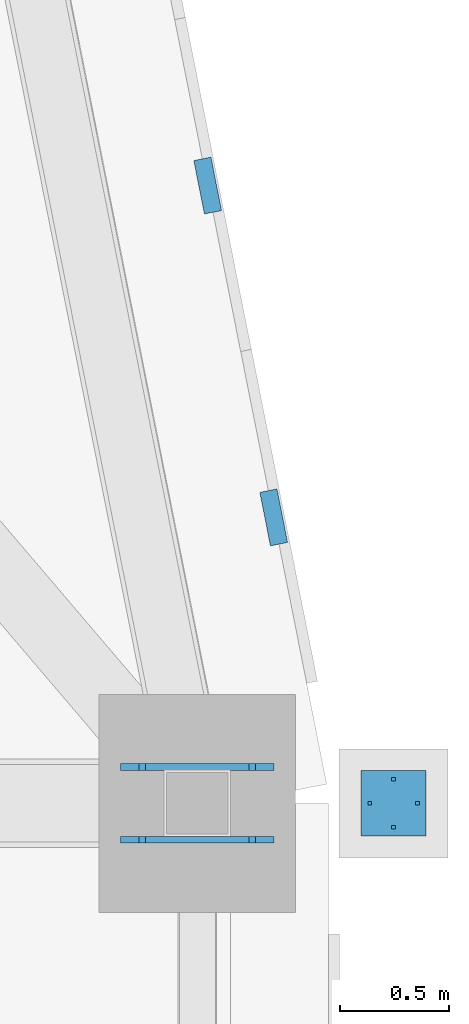
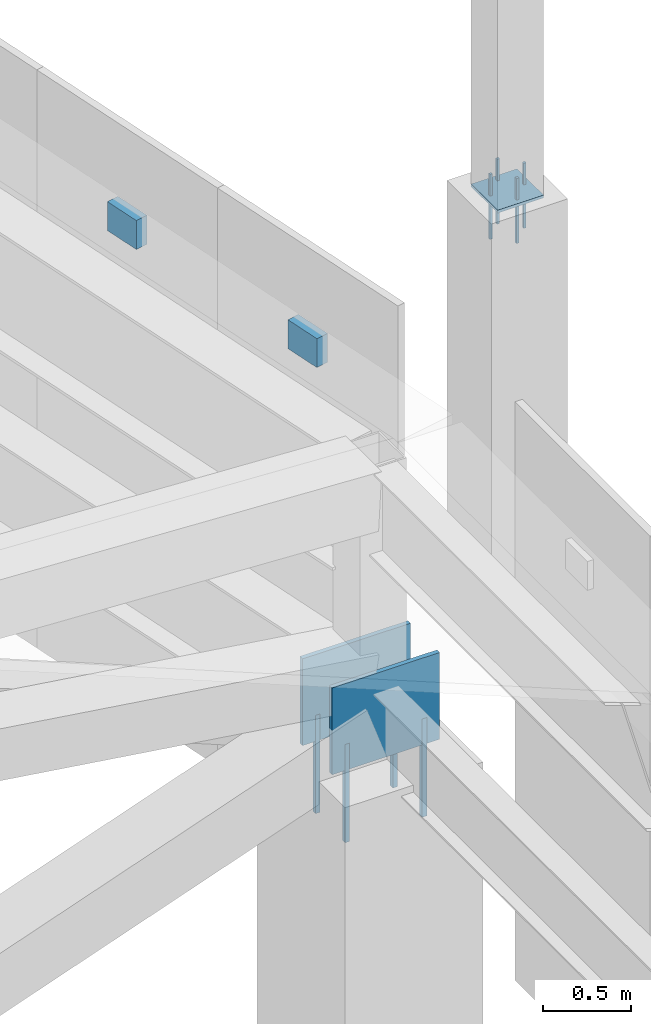
# One storey, part 256 of 278: 8 mechanical fasteners, 5 discrete accessories.
"""IFC4 building model written with IfcOpenShell, lengths in metres."""

from ifc_helpers import new_model, si_unit, direction, frame, origin, origin_2d, place, context, subcontext, project, spatial, rectangle, extrude, material, layer, layer_set, type_object, element, save


model = new_model("IFC4")

# Units and contexts
model_context = context("Model", 3, precision=1e-05, world=origin(), true_north=direction((0.0, 1.0)))
body_context = subcontext(model_context, "Body", "Model", "MODEL_VIEW")
ifc_project = project(units=[si_unit("LENGTHUNIT", "METRE"), si_unit("AREAUNIT", "SQUARE_METRE"), si_unit("VOLUMEUNIT", "CUBIC_METRE"), si_unit("PLANEANGLEUNIT", "RADIAN"), si_unit("MASSUNIT", "GRAM", prefix="KILO")], contexts=[model_context])

# Site, building, storey
site_placement = place(None, origin())
site = spatial("IfcSite", under=ifc_project, at=site_placement, CompositionType="ELEMENT")
building_placement = place(site_placement, origin())
building = spatial("IfcBuilding", under=site, at=building_placement, Name="Ogive Plaza Stadium", CompositionType="ELEMENT")
storey_placement = place(building_placement, frame((0.0, 0.0, 29.0)))
storey = spatial("IfcBuildingStorey", under=building, at=storey_placement, Name="Roof", CompositionType="ELEMENT", Elevation=29.0)

# Mechanical fasteners
ifc_material_1 = material(Name="Steel ASTM A992 Grade 50", Category="steel")
mechanical_fastener_type_1 = type_object("IfcMechanicalFastenerType", Name="Anchor bolt M30 x 600", PredefinedType="ANCHORBOLT", material=ifc_material_1)
for number, where, z_axis, x_axis, name in (
    (1, (84.25244140625, 52.66650390625, 3.0), (0.0, 0.0, 1.0), (1.0, 0.0, 0.0), "ANCHOR BOLT 01 BF 1.1"),
    (2, (83.74755859375, 52.66650390625, 3.0), (0.0, 0.0, 1.0), (1.0, 0.0, 0.0), "ANCHOR BOLT 01 BF 1.2"),
    (3, (84.25244140625, 52.33349609375, 3.0), (0.0, 0.0, 1.0), (1.0, 0.0, 0.0), "ANCHOR BOLT 01 BF 2.1"),
    (4, (83.74755859375, 52.33349609375, 3.0), (0.0, 0.0, 1.0), (1.0, 0.0, 0.0), "ANCHOR BOLT 01 BF 2.2"),
):
    element("IfcMechanicalFastener", number, at=place(storey_placement, frame(where, z_axis=z_axis, x_axis=x_axis)), inside=storey, type_object=mechanical_fastener_type_1, Name=name, PredefinedType="ANCHORBOLT", context=body_context, shape_type="SweptSolid", body=[
        extrude(rectangle(XDim=0.030029296875, YDim=0.030029296875, at=origin_2d()), origin(), (0.0, 0.0, 1.0), 0.679931640625),
    ])
ifc_material_2 = material(Name="Steel ASTM A992 Grade 50", Category="steel")
mechanical_fastener_type_2 = type_object("IfcMechanicalFastenerType", Name="Spire anchor bolt M16 x 450", PredefinedType="ANCHORBOLT", material=ifc_material_2)
for number, where, z_axis, x_axis, name in (
    (5, (85.010009765625, 52.5, 6.7001953125), (0.0, 0.0, 1.0), (1.0, 0.0, 0.0), "SPIRE ANCHOR BOLT 01 1"),
    (6, (84.7900390625, 52.5, 6.7001953125), (0.0, 0.0, 1.0), (1.0, 0.0, 0.0), "SPIRE ANCHOR BOLT 01 2"),
    (7, (84.89990234375, 52.610107421875, 6.7001953125), (0.0, 0.0, 1.0), (1.0, 0.0, 0.0), "SPIRE ANCHOR BOLT 01 3"),
    (8, (84.89990234375, 52.389892578125, 6.7001953125), (0.0, 0.0, 1.0), (1.0, 0.0, 0.0), "SPIRE ANCHOR BOLT 01 4"),
):
    element("IfcMechanicalFastener", number, at=place(storey_placement, frame(where, z_axis=z_axis, x_axis=x_axis)), inside=storey, type_object=mechanical_fastener_type_2, Name=name, PredefinedType="ANCHORBOLT", context=body_context, shape_type="SweptSolid", body=[
        extrude(rectangle(XDim=0.01611328125, YDim=0.01611328125, at=origin_2d()), origin(), (0.0, 0.0, 1.0), 0.449951171875),
    ])

# Discrete accessories
ifc_material_3 = material(Name="Steel ASTM A992 Grade 50", Category="steel")
ifc_layer_1 = layer(ifc_material_3, 0.02001953125)
ifc_layer_set_1 = layer_set([ifc_layer_1], Name="Steel ASTM A992 Grade 50")
discrete_accessory_type_1 = type_object("IfcDiscreteAccessoryType", Name="Spire seat plate 20", PredefinedType="ANCHORPLATE", material=ifc_layer_set_1)
discrete_accessory_placement = place(storey_placement, frame((84.89990234375, 52.5, 6.98095703125), z_axis=(0.0, 0.0, 1.0), x_axis=(1.0, 0.0, 0.0)))
element("IfcDiscreteAccessory", 9, at=discrete_accessory_placement, inside=storey, type_object=discrete_accessory_type_1, Name="SPIRE SEAT PLATE 01", PredefinedType="ANCHORPLATE", context=body_context, shape_type="SweptSolid", body=[
    extrude(rectangle(XDim=0.300048828125, YDim=0.300048828125, at=origin_2d()), origin(), (0.0, 0.0, 1.0), 0.02001953125),
])
ifc_material_4 = material(Name="Steel ASTM A572 Grade 50", Category="steel")
ifc_layer_2 = layer(ifc_material_4, 0.080078125)
ifc_layer_set_2 = layer_set([ifc_layer_2], Name="Steel ASTM A572 Grade 50")
discrete_accessory_type_2 = type_object("IfcDiscreteAccessoryType", Name="Tracery screen bracket 250x200", PredefinedType="BRACKET", material=ifc_layer_set_2)
for number, where, z_axis, x_axis, name in (
    (10, (84.047607421875, 55.33349609375, 5.25), (0.0, 0.0, 1.0), (0.195090322016, -0.980785280403, 0.0), "TRACERY SCREEN BRACKET B40 11"),
    (11, (84.350341796875, 53.811279296875, 5.25), (0.0, 0.0, 1.0), (0.195090322016, -0.980785280403, 0.0), "TRACERY SCREEN BRACKET B40 12"),
):
    element("IfcDiscreteAccessory", number, at=place(storey_placement, frame(where, z_axis=z_axis, x_axis=x_axis)), inside=storey, type_object=discrete_accessory_type_2, Name=name, PredefinedType="BRACKET", context=body_context, shape_type="SweptSolid", body=[
        extrude(rectangle(XDim=0.25, YDim=0.080078125, at=origin_2d()), origin(), (0.0, 0.0, 1.0), 0.199951171875),
    ])
ifc_material_5 = material(Name="Steel ASTM A992 Grade 50", Category="steel")
ifc_layer_3 = layer(ifc_material_5, 0.030029296875)
ifc_layer_set_3 = layer_set([ifc_layer_3], Name="Steel ASTM A992 Grade 50")
discrete_accessory_type_3 = type_object("IfcDiscreteAccessoryType", Name="Truss back-stay foot cleat plate 30", PredefinedType="ANCHORPLATE", material=ifc_layer_set_3)
for number, where, z_axis, x_axis, name in (
    (12, (84.0, 52.66650390625, 3.5), (0.0, 0.0, 1.0), (1.0, 0.0, 0.0), "TRUSS BACK-STAY FOOT CLEAT PLATE 01 1"),
    (13, (84.0, 52.33349609375, 3.5), (0.0, 0.0, 1.0), (1.0, 0.0, 0.0), "TRUSS BACK-STAY FOOT CLEAT PLATE 01 2"),
):
    element("IfcDiscreteAccessory", number, at=place(storey_placement, frame(where, z_axis=z_axis, x_axis=x_axis)), inside=storey, type_object=discrete_accessory_type_3, Name=name, PredefinedType="ANCHORPLATE", context=body_context, shape_type="SweptSolid", body=[
        extrude(rectangle(XDim=0.704833984375, YDim=0.030029296875, at=origin_2d()), origin(), (0.0, 0.0, 1.0), 0.60009765625),
    ])

save(model, "model.ifc")
